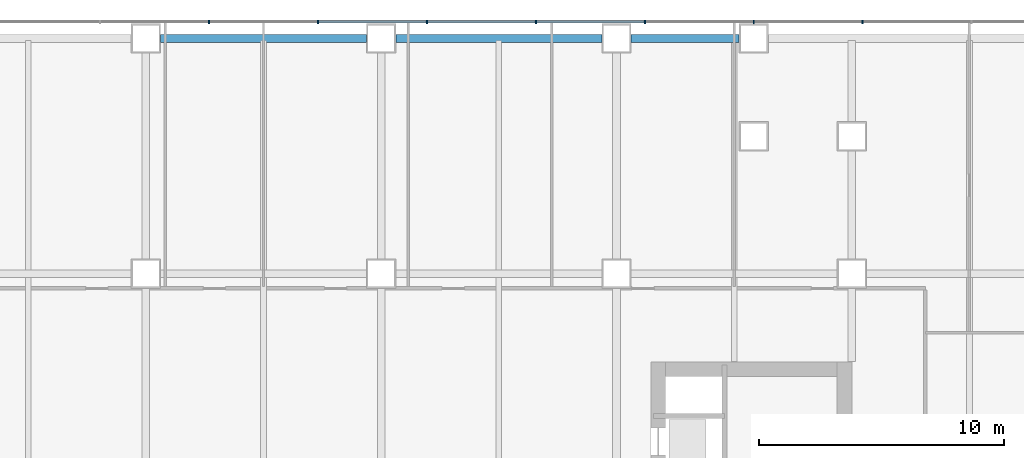
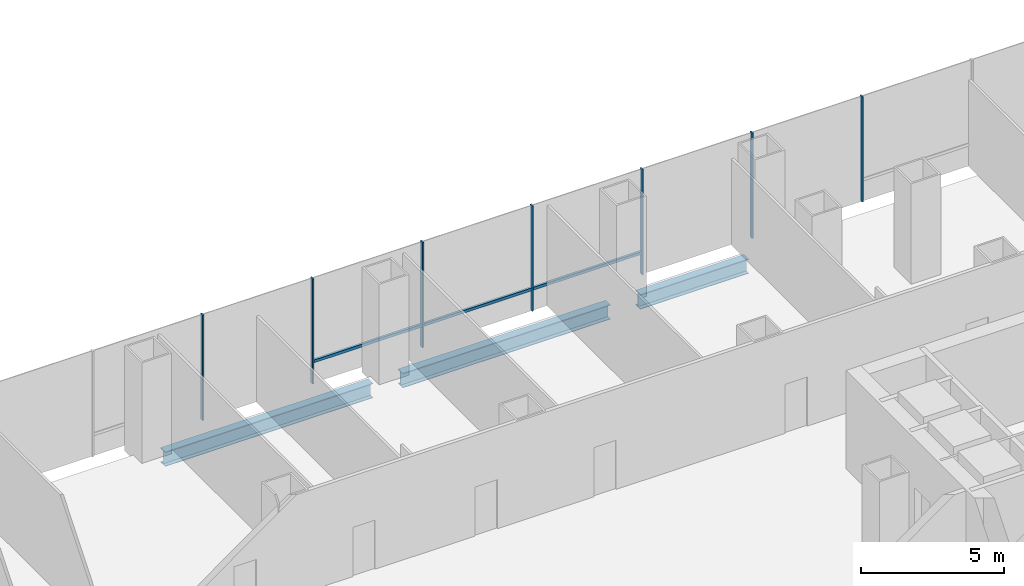
# One storey, part 11 of 23: 10 members, 3 beams, 1 element without a shape of its own.
"""IFC4 building model written with IfcOpenShell, lengths in metres."""

import ifcopenshell
import ifcopenshell.guid

model = None  # the IFC model being written
_history = None  # IfcOwnerHistory: only IFC2X3 demands one
_inside = {}  # id of a spatial element -> (the spatial element, [elements in it])
_under = {}  # id of a project, library or spatial element -> (it, [spatial elements below it])
_declared = {}  # id of a project -> (the project, [libraries it declares])
_typed = {}  # id of a type object -> (the type object, [elements of that type])
_made_of = {}  # id of a material, layer set ... -> (it, [elements and type objects made of it])


def new_model(schema):
    """Start an empty IFC model of exactly this schema.

    Asked for "IFC4X3", IfcOpenShell would pick the latest addendum, in which some entities
    have other attributes; the version numbers below select the first issue.
    IFC2X3 requires an IfcOwnerHistory on every rooted entity: one is made here for all.
    """
    global model, _history
    if schema == "IFC4X3":
        model = ifcopenshell.file(schema_version=(4, 3, 0, 0))
    else:
        model = ifcopenshell.file(schema=schema)
    _inside.clear()
    _under.clear()
    _declared.clear()
    _typed.clear()
    _made_of.clear()
    _history = None
    if model.schema == "IFC2X3":
        org = make("IfcOrganization", Name="unknown")
        user = make(
            "IfcPersonAndOrganization",
            ThePerson=make("IfcPerson", FamilyName="unknown"),
            TheOrganization=org,
        )
        app = make(
            "IfcApplication",
            ApplicationDeveloper=org,
            Version="unknown",
            ApplicationFullName="unknown",
            ApplicationIdentifier="unknown",
        )
        _history = make(
            "IfcOwnerHistory",
            OwningUser=user,
            OwningApplication=app,
            ChangeAction="ADDED",
            CreationDate=0,
        )
    return model


def make(cls, **values):
    """One entity of the class cls with the attributes given. An attribute that is None is left unset."""
    return model.create_entity(
        cls, **{name: value for name, value in values.items() if value is not None}
    )


def rooted(cls, **values):
    """An entity with a GlobalId (a new one), such as an element, a storey or a relation."""
    return make(cls, GlobalId=ifcopenshell.guid.new(), OwnerHistory=_history, **values)


def si_unit(unit_type, name, prefix=None):
    """IfcSIUnit, for example si_unit("LENGTHUNIT", "METRE", prefix="MILLI")."""
    return make("IfcSIUnit", UnitType=unit_type, Prefix=prefix, Name=name)


def assignment(units):
    """IfcUnitAssignment: the units of a project."""
    return None if units is None else make("IfcUnitAssignment", Units=units)


def point(xyz):
    """IfcCartesianPoint."""
    return None if xyz is None else make("IfcCartesianPoint", Coordinates=xyz)


def direction(xyz):
    """IfcDirection."""
    return None if xyz is None else make("IfcDirection", DirectionRatios=xyz)


def frame(location, z_axis=None, x_axis=None):
    """IfcAxis2Placement3D, a coordinate frame: its origin and axes. An axis left out is left unset."""
    return make(
        "IfcAxis2Placement3D",
        Location=point(location),
        Axis=direction(z_axis),
        RefDirection=direction(x_axis),
    )


def frame_2d(location, x_axis=None):
    """IfcAxis2Placement2D, a coordinate frame in the plane: its origin and x axis."""
    return make(
        "IfcAxis2Placement2D", Location=point(location), RefDirection=direction(x_axis)
    )


def origin():
    """The frame at (0, 0, 0) with its axes left unset."""
    return frame((0.0, 0.0, 0.0))


def origin_2d():
    """The frame at (0, 0) in the plane with its x axis left unset."""
    return frame_2d((0.0, 0.0))


def place(relative_to, where):
    """IfcLocalPlacement: puts the frame where relative to a parent placement (None: the world)."""
    return make(
        "IfcLocalPlacement", PlacementRelTo=relative_to, RelativePlacement=where
    )


def context(
    kind, dimensions, precision=None, world=None, true_north=None, identifier=None
):
    """IfcGeometricRepresentationContext, for example the 3D "Model" context."""
    return make(
        "IfcGeometricRepresentationContext",
        ContextIdentifier=identifier,
        ContextType=kind,
        CoordinateSpaceDimension=dimensions,
        Precision=precision,
        WorldCoordinateSystem=world,
        TrueNorth=true_north,
    )


def subcontext(parent, identifier, kind, view, scale=None):
    """IfcGeometricRepresentationSubContext, for example "Body" below "Model"."""
    return make(
        "IfcGeometricRepresentationSubContext",
        ContextIdentifier=identifier,
        ContextType=kind,
        ParentContext=parent,
        TargetScale=scale,
        TargetView=view,
    )


def project(units=None, contexts=None):
    """IfcProject with its units and contexts."""
    return rooted(
        "IfcProject",
        Name="project",
        RepresentationContexts=contexts,
        UnitsInContext=assignment(units),
    )


def spatial(cls, under=None, at=None, **own):
    """A site, building, storey or space (cls), placed at a placement, below another one or the project."""
    s = rooted(cls, ObjectPlacement=at, **own)
    if under is not None:
        _under.setdefault(under.id(), (under, []))[1].append(s)
    return s


def profile(cls, at=None, kind="AREA", **sizes):
    """A parametric profile (cls). Its sizes go by their IFC names, for example OverallWidth=200.0."""
    return make(cls, ProfileType=kind, Position=at, **sizes)


def rectangle(**sizes):
    """IfcRectangleProfileDef."""
    return profile("IfcRectangleProfileDef", **sizes)


def i_section(**sizes):
    """IfcIShapeProfileDef."""
    return profile("IfcIShapeProfileDef", **sizes)


def extrude(swept, where, along, depth):
    """IfcExtrudedAreaSolid: the profile swept, set in the frame where, extruded along a direction by depth."""
    return make(
        "IfcExtrudedAreaSolid",
        SweptArea=swept,
        Position=where,
        ExtrudedDirection=direction(along),
        Depth=depth,
    )


def shape(context_of_items, identifier, shape_type, items):
    """IfcShapeRepresentation: the items that make up one representation, for example the "Body"."""
    return make(
        "IfcShapeRepresentation",
        ContextOfItems=context_of_items,
        RepresentationIdentifier=identifier,
        RepresentationType=shape_type,
        Items=items,
    )


def material(Name=None, Category=None):
    """IfcMaterial."""
    return make("IfcMaterial", Name=Name, Category=Category)


def material_profile(
    of_material, cross_section, Name=None, Category=None, Priority=None
):
    """IfcMaterialProfile: a cross section and its material."""
    return make(
        "IfcMaterialProfile",
        Name=Name,
        Material=of_material,
        Profile=cross_section,
        Priority=Priority,
        Category=Category,
    )


def profile_set(profiles, Name=None, composite=None):
    """IfcMaterialProfileSet."""
    return make(
        "IfcMaterialProfileSet",
        Name=Name,
        MaterialProfiles=profiles,
        CompositeProfile=composite,
    )


def made_of(thing, what):
    """Note that an element or type object is made of a material, layer set ...; save() writes the relation."""
    if what is not None:
        _made_of.setdefault(what.id(), (what, []))[1].append(thing)
    return thing


def type_object(cls, material=None, **own):
    """A type object (cls), such as IfcWallType, which elements share."""
    return made_of(rooted(cls, **own), material)


def element(
    cls,
    number,
    at=None,
    inside=None,
    cuts=None,
    type_object=None,
    material=None,
    context=None,
    identifier="Body",
    shape_type=None,
    held_by="IfcProductDefinitionShape",
    body=None,
    shapes=None,
    **own,
):
    """One element of the class cls, such as IfcWall. Its Tag is "e" and its number.

    at: its placement. inside: the storey or other place that contains it. cuts: it is an
    opening in that element (IfcRelVoidsElement). A single representation is given by context,
    identifier, shape_type and body (its items); several are given by shapes. held_by: the class
    of the entity that holds the representations. save() writes the other relations.
    """
    e = rooted(cls, Tag="e%d" % number, ObjectPlacement=at, **own)
    if body is not None:
        shapes = [shape(context, identifier, shape_type, body)]
    if shapes is not None:
        e.Representation = make(held_by, Representations=shapes)
    if inside is not None:
        _inside.setdefault(inside.id(), (inside, []))[1].append(e)
    if cuts is not None:
        rooted(
            "IfcRelVoidsElement", RelatingBuildingElement=cuts, RelatedOpeningElement=e
        )
    if type_object is not None:
        _typed.setdefault(type_object.id(), (type_object, []))[1].append(e)
    return made_of(e, material)


def aggregate(whole, parts):
    """IfcRelAggregates: a whole, such as a stair, and the parts it consists of."""
    return rooted("IfcRelAggregates", RelatingObject=whole, RelatedObjects=parts)


def save(model, path):
    """Write the relations noted so far, then the file.

    IfcRelAggregates (storeys below a building ...), IfcRelContainedInSpatialStructure (elements
    in a storey), IfcRelDefinesByType, IfcRelAssociatesMaterial and IfcRelDeclares: one each for
    every whole, place, type object, material and project.
    """
    for whole, parts in _under.values():
        aggregate(whole, parts)
    for where, things in _inside.values():
        rooted(
            "IfcRelContainedInSpatialStructure",
            RelatedElements=things,
            RelatingStructure=where,
        )
    for kind, things in _typed.values():
        rooted("IfcRelDefinesByType", RelatedObjects=things, RelatingType=kind)
    for what, things in _made_of.values():
        rooted("IfcRelAssociatesMaterial", RelatedObjects=things, RelatingMaterial=what)
    for by, libraries in _declared.values():
        rooted("IfcRelDeclares", RelatingContext=by, RelatedDefinitions=libraries)
    model.write(path)


model = new_model("IFC4")

# Units and contexts
model_context = context("Model", 3, precision=1e-05, world=origin(), true_north=direction((0.0, 1.0)))
body_context = subcontext(model_context, "Body", "Model", "MODEL_VIEW")
ifc_project = project(units=[si_unit("LENGTHUNIT", "METRE"), si_unit("AREAUNIT", "SQUARE_METRE"), si_unit("VOLUMEUNIT", "CUBIC_METRE"), si_unit("PLANEANGLEUNIT", "RADIAN"), si_unit("MASSUNIT", "GRAM", prefix="KILO")], contexts=[model_context])

# Site, building, storey
site_placement = place(None, origin())
site = spatial("IfcSite", under=ifc_project, at=site_placement, CompositionType="ELEMENT")
building_placement = place(site_placement, origin())
building = spatial("IfcBuilding", under=site, at=building_placement, Name="Cobrizo Arcos Hotel Tower", CompositionType="ELEMENT")
storey_placement = place(building_placement, frame((0.0, 0.0, 20.0)))
storey = spatial("IfcBuildingStorey", under=building, at=storey_placement, Name="L03", CompositionType="ELEMENT", Elevation=20.0)

# Curtain wall, members
ifc_material_1 = material(Name="Aluminium 6063-T6 anodised bronze", Category="aluminium")
curtain_wall_type = type_object("IfcCurtainWallType", Name="CW-A guest facade", PredefinedType="NOTDEFINED", material=ifc_material_1)
curtain_wall_placement = place(storey_placement, origin())
curtain_wall = element("IfcCurtainWall", 1, at=curtain_wall_placement, inside=storey, type_object=curtain_wall_type, Name="CW-A L03 N face", PredefinedType="NOTDEFINED")
ifc_material_profile_1 = material_profile(ifc_material_1, rectangle(XDim=0.14990234375, YDim=0.06005859375, at=origin_2d()), Name="CW-A mullion 150x60")
ifc_profile_set_1 = profile_set([ifc_material_profile_1], Name="Aluminium 6063-T6 anodised bronze")
member_type_1 = type_object("IfcMemberType", Name="CW-A mullion 150x60", PredefinedType="MULLION", material=ifc_profile_set_1)
member_1_placement = place(storey_placement, frame((24.4443359375, 24.675048828125, 0.0), z_axis=(0.0, 0.0, 1.0), x_axis=(0.0, 1.0, 0.0)))
member_1 = element("IfcMember", 2, at=member_1_placement, type_object=member_type_1, Name="CW-A mullion 4", PredefinedType="MULLION", context=body_context, shape_type="SweptSolid", body=[
    extrude(rectangle(XDim=0.14990234375, YDim=0.06005859375, at=origin_2d()), origin(), (0.0, 0.0, 1.0), 4.5),
])
member_2_placement = place(storey_placement, frame((20.0, 24.675048828125, 0.0), z_axis=(0.0, 0.0, 1.0), x_axis=(0.0, 1.0, 0.0)))
member_2 = element("IfcMember", 3, at=member_2_placement, type_object=member_type_1, Name="CW-A mullion 5", PredefinedType="MULLION", context=body_context, shape_type="SweptSolid", body=[
    extrude(rectangle(XDim=0.14990234375, YDim=0.06005859375, at=origin_2d()), origin(), (0.0, 0.0, 1.0), 4.5),
])
member_3_placement = place(storey_placement, frame((15.5556640625, 24.675048828125, 0.0), z_axis=(0.0, 0.0, 1.0), x_axis=(0.0, 1.0, 0.0)))
member_3 = element("IfcMember", 4, at=member_3_placement, type_object=member_type_1, Name="CW-A mullion 6", PredefinedType="MULLION", context=body_context, shape_type="SweptSolid", body=[
    extrude(rectangle(XDim=0.14990234375, YDim=0.06005859375, at=origin_2d()), origin(), (0.0, 0.0, 1.0), 4.5),
])
member_4_placement = place(storey_placement, frame((11.111083984375, 24.675048828125, 0.0), z_axis=(0.0, 0.0, 1.0), x_axis=(0.0, 1.0, 0.0)))
member_4 = element("IfcMember", 5, at=member_4_placement, type_object=member_type_1, Name="CW-A mullion 7", PredefinedType="MULLION", context=body_context, shape_type="SweptSolid", body=[
    extrude(rectangle(XDim=0.14990234375, YDim=0.06005859375, at=origin_2d()), origin(), (0.0, 0.0, 1.0), 4.5),
])
member_5_placement = place(storey_placement, frame((6.666748046875, 24.675048828125, 0.0), z_axis=(0.0, 0.0, 1.0), x_axis=(0.0, 1.0, 0.0)))
member_5 = element("IfcMember", 6, at=member_5_placement, type_object=member_type_1, Name="CW-A mullion 8", PredefinedType="MULLION", context=body_context, shape_type="SweptSolid", body=[
    extrude(rectangle(XDim=0.14990234375, YDim=0.06005859375, at=origin_2d()), origin(), (0.0, 0.0, 1.0), 4.5),
])
member_6_placement = place(storey_placement, frame((2.22216796875, 24.675048828125, 0.0), z_axis=(0.0, 0.0, 1.0), x_axis=(0.0, 1.0, 0.0)))
member_6 = element("IfcMember", 7, at=member_6_placement, type_object=member_type_1, Name="CW-A mullion 9", PredefinedType="MULLION", context=body_context, shape_type="SweptSolid", body=[
    extrude(rectangle(XDim=0.14990234375, YDim=0.06005859375, at=origin_2d()), origin(), (0.0, 0.0, 1.0), 4.5),
])
member_7_placement = place(storey_placement, frame((-2.22216796875, 24.675048828125, 0.0), z_axis=(0.0, 0.0, 1.0), x_axis=(0.0, 1.0, 0.0)))
member_7 = element("IfcMember", 8, at=member_7_placement, type_object=member_type_1, Name="CW-A mullion 10", PredefinedType="MULLION", context=body_context, shape_type="SweptSolid", body=[
    extrude(rectangle(XDim=0.14990234375, YDim=0.06005859375, at=origin_2d()), origin(), (0.0, 0.0, 1.0), 4.5),
])
ifc_material_profile_2 = material_profile(ifc_material_1, rectangle(XDim=0.10009765625, YDim=0.1201171875, at=origin_2d()), Name="CW-A transom 120x100")
ifc_profile_set_2 = profile_set([ifc_material_profile_2], Name="Aluminium 6063-T6 anodised bronze")
member_type_2 = type_object("IfcMemberType", Name="CW-A transom 120x100", PredefinedType="USERDEFINED", material=ifc_profile_set_2)
member_8_placement = place(storey_placement, frame((15.525634765625, 24.675048828125, 0.929931640625), z_axis=(-1.0, 0.0, 0.0), x_axis=(0.0, -1.0, 0.0)))
member_8 = element("IfcMember", 9, at=member_8_placement, type_object=member_type_2, Name="CW-A transom 176", ObjectType="TRANSOM", PredefinedType="USERDEFINED", context=body_context, shape_type="SweptSolid", body=[
    extrude(rectangle(XDim=0.10009765625, YDim=0.1201171875, at=origin_2d()), origin(), (0.0, 0.0, 1.0), 4.384521484375),
])
member_9_placement = place(storey_placement, frame((11.0810546875, 24.675048828125, 0.929931640625), z_axis=(-1.0, 0.0, 0.0), x_axis=(0.0, -1.0, 0.0)))
member_9 = element("IfcMember", 10, at=member_9_placement, type_object=member_type_2, Name="CW-A transom 177", ObjectType="TRANSOM", PredefinedType="USERDEFINED", context=body_context, shape_type="SweptSolid", body=[
    extrude(rectangle(XDim=0.10009765625, YDim=0.1201171875, at=origin_2d()), origin(), (0.0, 0.0, 1.0), 4.38427734375),
])
member_10_placement = place(storey_placement, frame((6.63671875, 24.675048828125, 0.929931640625), z_axis=(-1.0, 0.0, 0.0), x_axis=(0.0, -1.0, 0.0)))
member_10 = element("IfcMember", 11, at=member_10_placement, type_object=member_type_2, Name="CW-A transom 178", ObjectType="TRANSOM", PredefinedType="USERDEFINED", context=body_context, shape_type="SweptSolid", body=[
    extrude(rectangle(XDim=0.10009765625, YDim=0.1201171875, at=origin_2d()), origin(), (0.0, 0.0, 1.0), 4.384521484375),
])
aggregate(curtain_wall, [member_1, member_2, member_3, member_4, member_5, member_6, member_7, member_8, member_9, member_10])

# Beams
ifc_material_2 = material(Name="Steel ASTM A992 Grade 50", Category="steel")
ifc_material_profile_3 = material_profile(ifc_material_2, i_section(OverallWidth=0.32763671875, OverallDepth=0.622314453125, WebThickness=0.015380859375, FlangeThickness=0.0244140625, at=origin_2d()), Name="W24X131")
ifc_profile_set_3 = profile_set([ifc_material_profile_3], Name="Steel ASTM A992 Grade 50")
beam_type = type_object("IfcBeamType", Name="W24X131 spandrel", PredefinedType="SPANDREL", material=ifc_profile_set_3)
beam_1_placement = place(storey_placement, frame((19.39990234375, 24.0, -0.51123046875), z_axis=(-1.0, 0.0, 0.0), x_axis=(0.0, -1.0, 0.0)))
element("IfcBeam", 12, at=beam_1_placement, inside=storey, type_object=beam_type, Name="Spandrel beam W24X131, L03, no. 002", PredefinedType="SPANDREL", context=body_context, shape_type="SweptSolid", body=[
    extrude(i_section(OverallWidth=0.32763671875, OverallDepth=0.622314453125, WebThickness=0.015380859375, FlangeThickness=0.0244140625, at=origin_2d()), origin(), (0.0, 0.0, 1.0), 4.39990234375),
])
beam_2_placement = place(storey_placement, frame((13.800048828125, 24.0, -0.51123046875), z_axis=(-1.0, 0.0, 0.0), x_axis=(0.0, -1.0, 0.0)))
element("IfcBeam", 13, at=beam_2_placement, inside=storey, type_object=beam_type, Name="Spandrel beam W24X131, L03, no. 003", PredefinedType="SPANDREL", context=body_context, shape_type="SweptSolid", body=[
    extrude(i_section(OverallWidth=0.32763671875, OverallDepth=0.622314453125, WebThickness=0.015380859375, FlangeThickness=0.0244140625, at=origin_2d()), origin(), (0.0, 0.0, 1.0), 8.400146484375),
])
beam_3_placement = place(storey_placement, frame((4.199951171875, 24.0, -0.51123046875), z_axis=(-1.0, 0.0, 0.0), x_axis=(0.0, -1.0, 0.0)))
element("IfcBeam", 14, at=beam_3_placement, inside=storey, type_object=beam_type, Name="Spandrel beam W24X131, L03, no. 004", PredefinedType="SPANDREL", context=body_context, shape_type="SweptSolid", body=[
    extrude(i_section(OverallWidth=0.32763671875, OverallDepth=0.622314453125, WebThickness=0.015380859375, FlangeThickness=0.0244140625, at=origin_2d()), origin(), (0.0, 0.0, 1.0), 8.39990234375),
])

save(model, "model.ifc")
